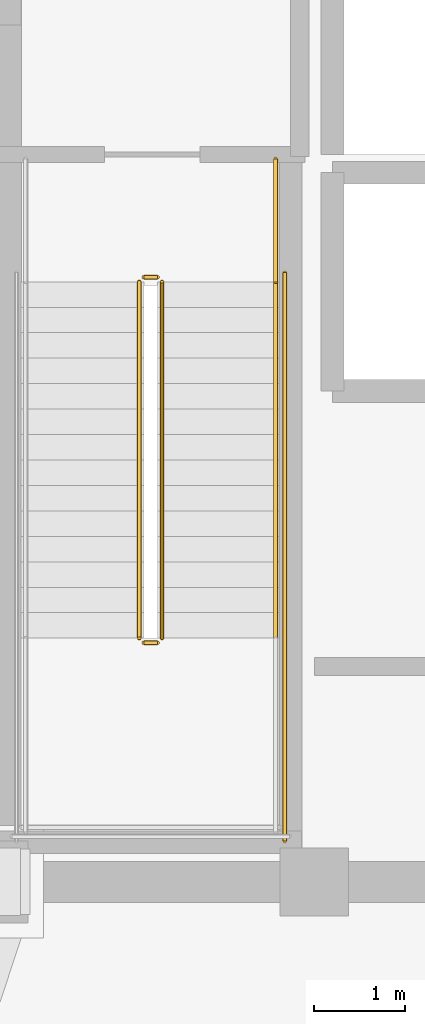
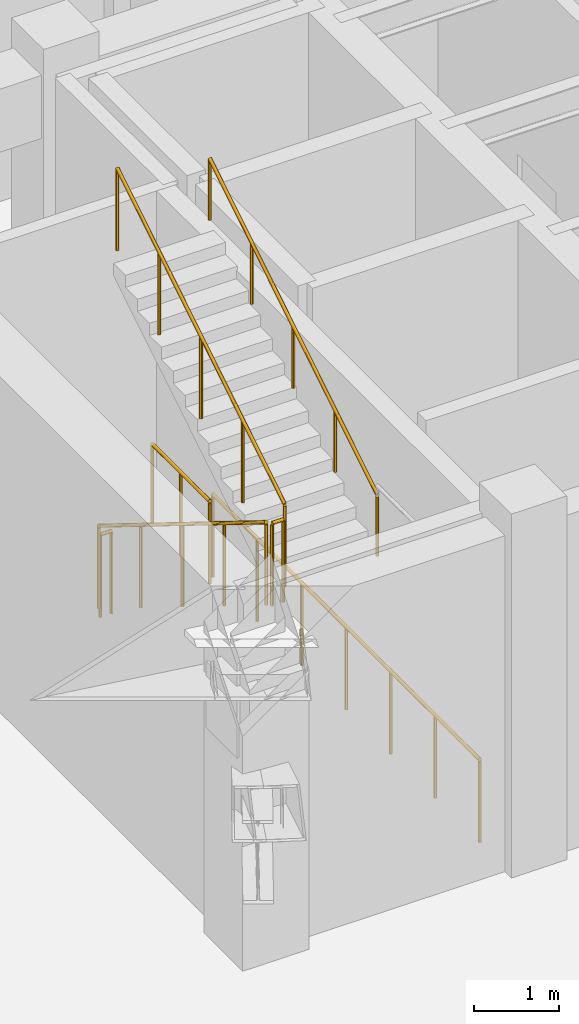
# One storey, part 8 of 10: 7 railings.
"""IFC4 building model written with IfcOpenShell, lengths in metres."""

import ifcopenshell
import ifcopenshell.guid

model = None  # the IFC model being written
_history = None  # IfcOwnerHistory: only IFC2X3 demands one
_inside = {}  # id of a spatial element -> (the spatial element, [elements in it])
_under = {}  # id of a project, library or spatial element -> (it, [spatial elements below it])
_declared = {}  # id of a project -> (the project, [libraries it declares])
_typed = {}  # id of a type object -> (the type object, [elements of that type])
_made_of = {}  # id of a material, layer set ... -> (it, [elements and type objects made of it])


def new_model(schema):
    """Start an empty IFC model of exactly this schema.

    Asked for "IFC4X3", IfcOpenShell would pick the latest addendum, in which some entities
    have other attributes; the version numbers below select the first issue.
    IFC2X3 requires an IfcOwnerHistory on every rooted entity: one is made here for all.
    """
    global model, _history
    if schema == "IFC4X3":
        model = ifcopenshell.file(schema_version=(4, 3, 0, 0))
    else:
        model = ifcopenshell.file(schema=schema)
    _inside.clear()
    _under.clear()
    _declared.clear()
    _typed.clear()
    _made_of.clear()
    _history = None
    if model.schema == "IFC2X3":
        org = make("IfcOrganization", Name="unknown")
        user = make(
            "IfcPersonAndOrganization",
            ThePerson=make("IfcPerson", FamilyName="unknown"),
            TheOrganization=org,
        )
        app = make(
            "IfcApplication",
            ApplicationDeveloper=org,
            Version="unknown",
            ApplicationFullName="unknown",
            ApplicationIdentifier="unknown",
        )
        _history = make(
            "IfcOwnerHistory",
            OwningUser=user,
            OwningApplication=app,
            ChangeAction="ADDED",
            CreationDate=0,
        )
    return model


def make(cls, **values):
    """One entity of the class cls with the attributes given. An attribute that is None is left unset."""
    return model.create_entity(
        cls, **{name: value for name, value in values.items() if value is not None}
    )


def rooted(cls, **values):
    """An entity with a GlobalId (a new one), such as an element, a storey or a relation."""
    return make(cls, GlobalId=ifcopenshell.guid.new(), OwnerHistory=_history, **values)


def si_unit(unit_type, name, prefix=None):
    """IfcSIUnit, for example si_unit("LENGTHUNIT", "METRE", prefix="MILLI")."""
    return make("IfcSIUnit", UnitType=unit_type, Prefix=prefix, Name=name)


def assignment(units):
    """IfcUnitAssignment: the units of a project."""
    return None if units is None else make("IfcUnitAssignment", Units=units)


def point(xyz):
    """IfcCartesianPoint."""
    return None if xyz is None else make("IfcCartesianPoint", Coordinates=xyz)


def direction(xyz):
    """IfcDirection."""
    return None if xyz is None else make("IfcDirection", DirectionRatios=xyz)


def frame(location, z_axis=None, x_axis=None):
    """IfcAxis2Placement3D, a coordinate frame: its origin and axes. An axis left out is left unset."""
    return make(
        "IfcAxis2Placement3D",
        Location=point(location),
        Axis=direction(z_axis),
        RefDirection=direction(x_axis),
    )


def frame_2d(location, x_axis=None):
    """IfcAxis2Placement2D, a coordinate frame in the plane: its origin and x axis."""
    return make(
        "IfcAxis2Placement2D", Location=point(location), RefDirection=direction(x_axis)
    )


def origin():
    """The frame at (0, 0, 0) with its axes left unset."""
    return frame((0.0, 0.0, 0.0))


def origin_2d():
    """The frame at (0, 0) in the plane with its x axis left unset."""
    return frame_2d((0.0, 0.0))


def place(relative_to, where):
    """IfcLocalPlacement: puts the frame where relative to a parent placement (None: the world)."""
    return make(
        "IfcLocalPlacement", PlacementRelTo=relative_to, RelativePlacement=where
    )


def context(
    kind, dimensions, precision=None, world=None, true_north=None, identifier=None
):
    """IfcGeometricRepresentationContext, for example the 3D "Model" context."""
    return make(
        "IfcGeometricRepresentationContext",
        ContextIdentifier=identifier,
        ContextType=kind,
        CoordinateSpaceDimension=dimensions,
        Precision=precision,
        WorldCoordinateSystem=world,
        TrueNorth=true_north,
    )


def subcontext(parent, identifier, kind, view, scale=None):
    """IfcGeometricRepresentationSubContext, for example "Body" below "Model"."""
    return make(
        "IfcGeometricRepresentationSubContext",
        ContextIdentifier=identifier,
        ContextType=kind,
        ParentContext=parent,
        TargetScale=scale,
        TargetView=view,
    )


def project(units=None, contexts=None):
    """IfcProject with its units and contexts."""
    return rooted(
        "IfcProject",
        Name="project",
        RepresentationContexts=contexts,
        UnitsInContext=assignment(units),
    )


def spatial(cls, under=None, at=None, **own):
    """A site, building, storey or space (cls), placed at a placement, below another one or the project."""
    s = rooted(cls, ObjectPlacement=at, **own)
    if under is not None:
        _under.setdefault(under.id(), (under, []))[1].append(s)
    return s


def profile(cls, at=None, kind="AREA", **sizes):
    """A parametric profile (cls). Its sizes go by their IFC names, for example OverallWidth=200.0."""
    return make(cls, ProfileType=kind, Position=at, **sizes)


def circle(**sizes):
    """IfcCircleProfileDef."""
    return profile("IfcCircleProfileDef", **sizes)


def extrude(swept, where, along, depth):
    """IfcExtrudedAreaSolid: the profile swept, set in the frame where, extruded along a direction by depth."""
    return make(
        "IfcExtrudedAreaSolid",
        SweptArea=swept,
        Position=where,
        ExtrudedDirection=direction(along),
        Depth=depth,
    )


def shape(context_of_items, identifier, shape_type, items):
    """IfcShapeRepresentation: the items that make up one representation, for example the "Body"."""
    return make(
        "IfcShapeRepresentation",
        ContextOfItems=context_of_items,
        RepresentationIdentifier=identifier,
        RepresentationType=shape_type,
        Items=items,
    )


def material(Name=None, Category=None):
    """IfcMaterial."""
    return make("IfcMaterial", Name=Name, Category=Category)


def made_of(thing, what):
    """Note that an element or type object is made of a material, layer set ...; save() writes the relation."""
    if what is not None:
        _made_of.setdefault(what.id(), (what, []))[1].append(thing)
    return thing


def type_object(cls, material=None, **own):
    """A type object (cls), such as IfcWallType, which elements share."""
    return made_of(rooted(cls, **own), material)


def element(
    cls,
    number,
    at=None,
    inside=None,
    cuts=None,
    type_object=None,
    material=None,
    context=None,
    identifier="Body",
    shape_type=None,
    held_by="IfcProductDefinitionShape",
    body=None,
    shapes=None,
    **own,
):
    """One element of the class cls, such as IfcWall. Its Tag is "e" and its number.

    at: its placement. inside: the storey or other place that contains it. cuts: it is an
    opening in that element (IfcRelVoidsElement). A single representation is given by context,
    identifier, shape_type and body (its items); several are given by shapes. held_by: the class
    of the entity that holds the representations. save() writes the other relations.
    """
    e = rooted(cls, Tag="e%d" % number, ObjectPlacement=at, **own)
    if body is not None:
        shapes = [shape(context, identifier, shape_type, body)]
    if shapes is not None:
        e.Representation = make(held_by, Representations=shapes)
    if inside is not None:
        _inside.setdefault(inside.id(), (inside, []))[1].append(e)
    if cuts is not None:
        rooted(
            "IfcRelVoidsElement", RelatingBuildingElement=cuts, RelatedOpeningElement=e
        )
    if type_object is not None:
        _typed.setdefault(type_object.id(), (type_object, []))[1].append(e)
    return made_of(e, material)


def aggregate(whole, parts):
    """IfcRelAggregates: a whole, such as a stair, and the parts it consists of."""
    return rooted("IfcRelAggregates", RelatingObject=whole, RelatedObjects=parts)


def save(model, path):
    """Write the relations noted so far, then the file.

    IfcRelAggregates (storeys below a building ...), IfcRelContainedInSpatialStructure (elements
    in a storey), IfcRelDefinesByType, IfcRelAssociatesMaterial and IfcRelDeclares: one each for
    every whole, place, type object, material and project.
    """
    for whole, parts in _under.values():
        aggregate(whole, parts)
    for where, things in _inside.values():
        rooted(
            "IfcRelContainedInSpatialStructure",
            RelatedElements=things,
            RelatingStructure=where,
        )
    for kind, things in _typed.values():
        rooted("IfcRelDefinesByType", RelatedObjects=things, RelatingType=kind)
    for what, things in _made_of.values():
        rooted("IfcRelAssociatesMaterial", RelatedObjects=things, RelatingMaterial=what)
    for by, libraries in _declared.values():
        rooted("IfcRelDeclares", RelatingContext=by, RelatedDefinitions=libraries)
    model.write(path)


model = new_model("IFC4")

# Units and contexts
model_context = context("Model", 3, precision=1e-05, world=origin(), true_north=direction((0.0, 1.0)))
body_context = subcontext(model_context, "Body", "Model", "MODEL_VIEW")
ifc_project = project(units=[si_unit("LENGTHUNIT", "METRE"), si_unit("AREAUNIT", "SQUARE_METRE"), si_unit("VOLUMEUNIT", "CUBIC_METRE"), si_unit("PLANEANGLEUNIT", "RADIAN"), si_unit("MASSUNIT", "GRAM", prefix="KILO")], contexts=[model_context])

# Site, building, storey
site_placement = place(None, origin())
site = spatial("IfcSite", under=ifc_project, at=site_placement, CompositionType="ELEMENT")
building_placement = place(site_placement, origin())
building = spatial("IfcBuilding", under=site, at=building_placement, Name="Voryun Gate Residences", CompositionType="ELEMENT")
storey_placement = place(building_placement, frame((0.0, 0.0, 195.0)))
storey = spatial("IfcBuildingStorey", under=building, at=storey_placement, Name="L48", CompositionType="ELEMENT", Elevation=195.0)

# Railings
ifc_material_1 = material(Name="Painted steel", Category="steel")
railing_type_1 = type_object("IfcRailingType", Name="RAIL_STAIR_GUARD_1200", PredefinedType="GUARDRAIL", material=ifc_material_1)
railing_1_placement = place(storey_placement, frame((-17.52490234375, -0.800048828125, 0.17333984375)))
element("IfcRailing", 1, at=railing_1_placement, inside=storey, type_object=railing_type_1, Name="L48 ST-W1 stair guard 1", PredefinedType="GUARDRAIL", context=body_context, shape_type="SweptSolid", body=[
    extrude(circle(Radius=0.02392578125, at=origin_2d()), frame((0.0, 0.0, 1.17578125), z_axis=(0.0, -0.850251603719, 0.526376491091), x_axis=(1.0, 0.0, 0.0)), (0.0, 0.0, 1.0), 4.6103515625),
    extrude(circle(Radius=0.02099609375, at=origin_2d()), origin(), (0.0, 0.0, 1.0), 1.15185546875),
    extrude(circle(Radius=0.02099609375, at=origin_2d()), frame((0.0, -0.97998046875, 0.606689453125)), (0.0, 0.0, 1.0), 1.15185546875),
    extrude(circle(Radius=0.02099609375, at=origin_2d()), frame((0.0, -1.9599609375, 1.21337890625)), (0.0, 0.0, 1.0), 1.15185546875),
    extrude(circle(Radius=0.02099609375, at=origin_2d()), frame((0.0, -2.93994140625, 1.820068359375)), (0.0, 0.0, 1.0), 1.15185546875),
    extrude(circle(Radius=0.02099609375, at=origin_2d()), frame((0.0, -3.919921875, 2.4267578125)), (0.0, 0.0, 1.0), 1.15185546875),
])
railing_2_placement = place(storey_placement, frame((-17.47509765625, -4.77001953125, 2.60009765625)))
element("IfcRailing", 2, at=railing_2_placement, inside=storey, type_object=railing_type_1, Name="L48 ST-W1 stair guard 2", PredefinedType="GUARDRAIL", context=body_context, shape_type="SweptSolid", body=[
    extrude(circle(Radius=0.02392578125, at=origin_2d()), frame((0.0, 0.0, 1.17578125), z_axis=(1.0, 0.0, 0.0), x_axis=(0.0, 1.0, 0.0)), (0.0, 0.0, 1.0), 0.150146484375),
    extrude(circle(Radius=0.02099609375, at=origin_2d()), origin(), (0.0, 0.0, 1.0), 1.15185546875),
    extrude(circle(Radius=0.02099609375, at=origin_2d()), frame((0.150146484375, 0.0, 0.0)), (0.0, 0.0, 1.0), 1.15185546875),
])
railing_3_placement = place(storey_placement, frame((-17.27490234375, -4.719970703125, 2.7734375)))
element("IfcRailing", 3, at=railing_3_placement, inside=storey, type_object=railing_type_1, Name="L48 ST-W1 stair guard 6", PredefinedType="GUARDRAIL", context=body_context, shape_type="SweptSolid", body=[
    extrude(circle(Radius=0.02392578125, at=origin_2d()), frame((0.0, 0.0, 1.17578125), z_axis=(0.0, 0.850275303828, 0.526338206574), x_axis=(-1.0, 0.0, 0.0)), (0.0, 0.0, 1.0), 4.610107421875),
    extrude(circle(Radius=0.02099609375, at=origin_2d()), origin(), (0.0, 0.0, 1.0), 1.15185546875),
    extrude(circle(Radius=0.02099609375, at=origin_2d()), frame((0.0, 0.97998046875, 0.606689453125)), (0.0, 0.0, 1.0), 1.15185546875),
    extrude(circle(Radius=0.02099609375, at=origin_2d()), frame((0.0, 1.9599609375, 1.21337890625)), (0.0, 0.0, 1.0), 1.15185546875),
    extrude(circle(Radius=0.02099609375, at=origin_2d()), frame((0.0, 2.93994140625, 1.81982421875)), (0.0, 0.0, 1.0), 1.15185546875),
    extrude(circle(Radius=0.02099609375, at=origin_2d()), frame((0.0, 3.919921875, 2.426513671875)), (0.0, 0.0, 1.0), 1.15185546875),
])
railing_4_placement = place(storey_placement, frame((-17.47509765625, -0.75, 0.0)))
element("IfcRailing", 4, at=railing_4_placement, inside=storey, type_object=railing_type_1, Name="L48 ST-W1 stair guard 7", PredefinedType="GUARDRAIL", context=body_context, shape_type="SweptSolid", body=[
    extrude(circle(Radius=0.02392578125, at=origin_2d()), frame((0.0, 0.0, 1.17578125), z_axis=(1.0, 0.0, 0.0), x_axis=(0.0, 1.0, 0.0)), (0.0, 0.0, 1.0), 0.150146484375),
    extrude(circle(Radius=0.02099609375, at=origin_2d()), origin(), (0.0, 0.0, 1.0), 1.15185546875),
    extrude(circle(Radius=0.02099609375, at=origin_2d()), frame((0.150146484375, 0.0, 0.0)), (0.0, 0.0, 1.0), 1.15185546875),
])
railing_5_placement = place(storey_placement, frame((-16.02490234375, 0.550048828125, 0.0)))
element("IfcRailing", 5, at=railing_5_placement, inside=storey, type_object=railing_type_1, Name="L48 ST-W1 stair guard 9", PredefinedType="GUARDRAIL", context=body_context, shape_type="SweptSolid", body=[
    extrude(circle(Radius=0.02392578125, at=origin_2d()), frame((0.0, 0.0, 1.17578125), z_axis=(0.0, -1.0, 0.0), x_axis=(1.0, 0.0, 0.0)), (0.0, 0.0, 1.0), 1.35009765625),
    extrude(circle(Radius=0.02099609375, at=origin_2d()), origin(), (0.0, 0.0, 1.0), 1.15185546875),
    extrude(circle(Radius=0.02099609375, at=origin_2d()), frame((0.0, -0.675048828125, 0.0)), (0.0, 0.0, 1.0), 1.15185546875),
    extrude(circle(Radius=0.02099609375, at=origin_2d()), frame((0.0, -1.35009765625, 0.0)), (0.0, 0.0, 1.0), 1.15185546875),
])
railing_6_placement = place(storey_placement, frame((-15.925048828125, -0.699951171875, 0.0)))
element("IfcRailing", 6, at=railing_6_placement, inside=storey, type_object=railing_type_1, Name="L48 ST-W1 stair guard 11", PredefinedType="GUARDRAIL", context=body_context, shape_type="SweptSolid", body=[
    extrude(circle(Radius=0.02392578125, at=origin_2d()), frame((0.0, 0.0, 1.17578125), z_axis=(0.0, -1.0, 0.0), x_axis=(1.0, 0.0, 0.0)), (0.0, 0.0, 1.0), 6.25),
    extrude(circle(Radius=0.02099609375, at=origin_2d()), origin(), (0.0, 0.0, 1.0), 1.15185546875),
    extrude(circle(Radius=0.02099609375, at=origin_2d()), frame((0.0, -1.041748046875, 0.0)), (0.0, 0.0, 1.0), 1.15185546875),
    extrude(circle(Radius=0.02099609375, at=origin_2d()), frame((0.0, -2.083251953125, 0.0)), (0.0, 0.0, 1.0), 1.15185546875),
    extrude(circle(Radius=0.02099609375, at=origin_2d()), frame((0.0, -3.125, 0.0)), (0.0, 0.0, 1.0), 1.15185546875),
    extrude(circle(Radius=0.02099609375, at=origin_2d()), frame((0.0, -4.166748046875, 0.0)), (0.0, 0.0, 1.0), 1.15185546875),
    extrude(circle(Radius=0.02099609375, at=origin_2d()), frame((0.0, -5.208251953125, 0.0)), (0.0, 0.0, 1.0), 1.15185546875),
    extrude(circle(Radius=0.02099609375, at=origin_2d()), frame((0.0, -6.25, 0.0)), (0.0, 0.0, 1.0), 1.15185546875),
])
ifc_material_2 = material(Name="Painted steel", Category="steel")
railing_type_2 = type_object("IfcRailingType", Name="RAIL_STAIR_HANDRAIL_900", PredefinedType="HANDRAIL", material=ifc_material_2)
railing_7_placement = place(storey_placement, frame((-16.02490234375, -4.719970703125, 2.7734375)))
element("IfcRailing", 7, at=railing_7_placement, inside=storey, type_object=railing_type_2, Name="L48 ST-W1 stair handrail 2", PredefinedType="HANDRAIL", context=body_context, shape_type="SweptSolid", body=[
    extrude(circle(Radius=0.02392578125, at=origin_2d()), frame((0.0, 0.0, 0.8759765625), z_axis=(0.0, 0.850275303828, 0.526338206574), x_axis=(-1.0, 0.0, 0.0)), (0.0, 0.0, 1.0), 4.610107421875),
    extrude(circle(Radius=0.02099609375, at=origin_2d()), origin(), (0.0, 0.0, 1.0), 0.851806640625),
    extrude(circle(Radius=0.02099609375, at=origin_2d()), frame((0.0, 0.97998046875, 0.606689453125)), (0.0, 0.0, 1.0), 0.851806640625),
    extrude(circle(Radius=0.02099609375, at=origin_2d()), frame((0.0, 1.9599609375, 1.21337890625)), (0.0, 0.0, 1.0), 0.851806640625),
    extrude(circle(Radius=0.02099609375, at=origin_2d()), frame((0.0, 2.93994140625, 1.81982421875)), (0.0, 0.0, 1.0), 0.851806640625),
    extrude(circle(Radius=0.02099609375, at=origin_2d()), frame((0.0, 3.919921875, 2.426513671875)), (0.0, 0.0, 1.0), 0.851806640625),
])

save(model, "model.ifc")
